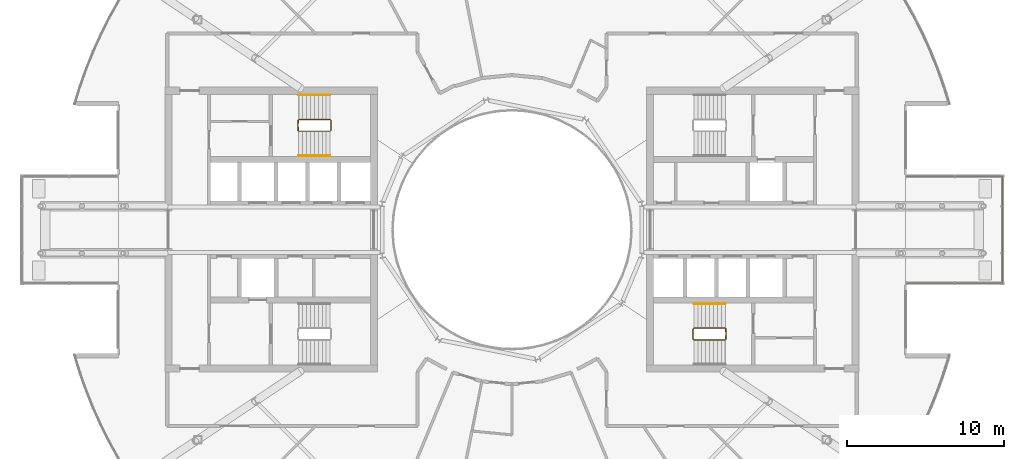
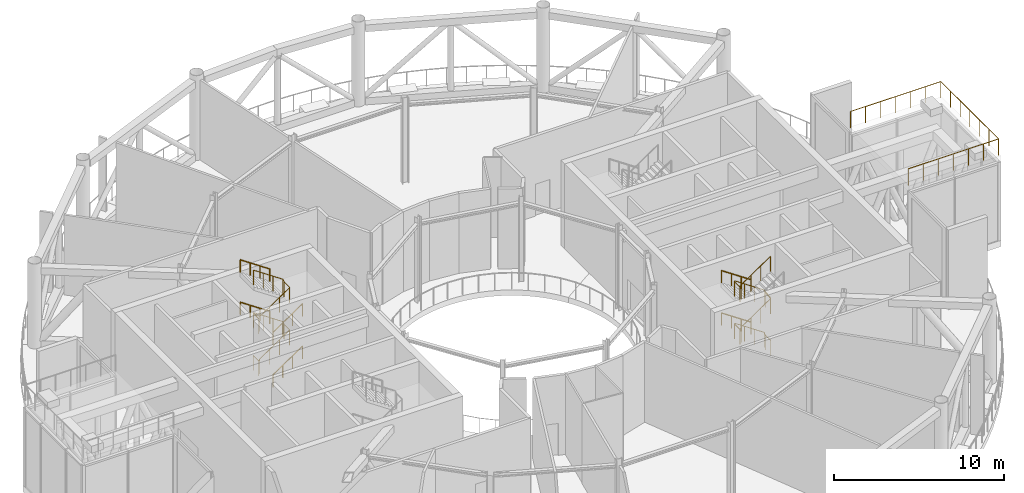
# One storey, part 22 of 24: 9 railings.
"""IFC4 building model written with IfcOpenShell, lengths in metres."""

from ifc_helpers import new_model, si_unit, direction, frame, origin, origin_2d, place, context, subcontext, project, spatial, circle, extrude, material, type_object, element, save


model = new_model("IFC4")

# Units and contexts
model_context = context("Model", 3, precision=1e-05, world=origin(), true_north=direction((0.0, 1.0)))
body_context = subcontext(model_context, "Body", "Model", "MODEL_VIEW")
ifc_project = project(units=[si_unit("LENGTHUNIT", "METRE"), si_unit("AREAUNIT", "SQUARE_METRE"), si_unit("VOLUMEUNIT", "CUBIC_METRE"), si_unit("PLANEANGLEUNIT", "RADIAN"), si_unit("MASSUNIT", "GRAM", prefix="KILO")], contexts=[model_context])

# Site, building, storey
site_placement = place(None, origin())
site = spatial("IfcSite", under=ifc_project, at=site_placement, CompositionType="ELEMENT")
building_placement = place(site_placement, origin())
building = spatial("IfcBuilding", under=site, at=building_placement, Name="Maasbend Ring Residences", CompositionType="ELEMENT")
storey_placement = place(building_placement, frame((0.0, 0.0, 221.85009765625)))
storey = spatial("IfcBuildingStorey", under=building, at=storey_placement, Name="L64", CompositionType="ELEMENT", Elevation=221.85009765625)

# Railings
ifc_material_1 = material(Name="Stainless steel 316 and glass", Category="steel")
railing_type_1 = type_object("IfcRailingType", Name="RL-GUARD", PredefinedType="GUARDRAIL", material=ifc_material_1)
railing_1_placement = place(storey_placement, frame((25.0, -3.39990234375, 6.099853515625)))
element("IfcRailing", 1, at=railing_1_placement, inside=storey, type_object=railing_type_1, Name="Roof terrace guard", PredefinedType="GUARDRAIL", context=body_context, shape_type="SweptSolid", body=[
    extrude(circle(Radius=0.02490234375, at=origin_2d()), frame((0.0, 0.0, 1.1748046875), z_axis=(1.0, 0.0, 0.0), x_axis=(0.0, 1.0, 0.0)), (0.0, 0.0, 1.0), 6.14990234375),
    extrude(circle(Radius=0.02490234375, at=origin_2d()), frame((6.14990234375, 0.0, 1.1748046875), z_axis=(0.0, 1.0, 0.0), x_axis=(-1.0, 0.0, 0.0)), (0.0, 0.0, 1.0), 6.7998046875),
    extrude(circle(Radius=0.02490234375, at=origin_2d()), frame((6.14990234375, 6.7998046875, 1.1748046875), z_axis=(-1.0, 0.0, 0.0), x_axis=(0.0, -1.0, 0.0)), (0.0, 0.0, 1.0), 6.14990234375),
    extrude(circle(Radius=0.02001953125, at=origin_2d()), origin(), (0.0, 0.0, 1.0), 1.14990234375),
    extrude(circle(Radius=0.02001953125, at=origin_2d()), frame((1.02490234375, 0.0, 0.0)), (0.0, 0.0, 1.0), 1.14990234375),
    extrude(circle(Radius=0.02001953125, at=origin_2d()), frame((2.050048828125, 0.0, 0.0)), (0.0, 0.0, 1.0), 1.14990234375),
    extrude(circle(Radius=0.02001953125, at=origin_2d()), frame((3.074951171875, 0.0, 0.0)), (0.0, 0.0, 1.0), 1.14990234375),
    extrude(circle(Radius=0.02001953125, at=origin_2d()), frame((4.099853515625, 0.0, 0.0)), (0.0, 0.0, 1.0), 1.14990234375),
    extrude(circle(Radius=0.02001953125, at=origin_2d()), frame((5.125, 0.0, 0.0)), (0.0, 0.0, 1.0), 1.14990234375),
    extrude(circle(Radius=0.02001953125, at=origin_2d()), frame((6.14990234375, 0.0, 0.0)), (0.0, 0.0, 1.0), 1.14990234375),
    extrude(circle(Radius=0.02001953125, at=origin_2d()), frame((6.14990234375, 1.13330078125, 0.0)), (0.0, 0.0, 1.0), 1.14990234375),
    extrude(circle(Radius=0.02001953125, at=origin_2d()), frame((6.14990234375, 2.2666015625, 0.0)), (0.0, 0.0, 1.0), 1.14990234375),
    extrude(circle(Radius=0.02001953125, at=origin_2d()), frame((6.14990234375, 3.39990234375, 0.0)), (0.0, 0.0, 1.0), 1.14990234375),
    extrude(circle(Radius=0.02001953125, at=origin_2d()), frame((6.14990234375, 4.533203125, 0.0)), (0.0, 0.0, 1.0), 1.14990234375),
    extrude(circle(Radius=0.02001953125, at=origin_2d()), frame((6.14990234375, 5.66650390625, 0.0)), (0.0, 0.0, 1.0), 1.14990234375),
    extrude(circle(Radius=0.02001953125, at=origin_2d()), frame((6.14990234375, 6.7998046875, 0.0)), (0.0, 0.0, 1.0), 1.14990234375),
    extrude(circle(Radius=0.02001953125, at=origin_2d()), frame((5.125, 6.7998046875, 0.0)), (0.0, 0.0, 1.0), 1.14990234375),
    extrude(circle(Radius=0.02001953125, at=origin_2d()), frame((4.099853515625, 6.7998046875, 0.0)), (0.0, 0.0, 1.0), 1.14990234375),
    extrude(circle(Radius=0.02001953125, at=origin_2d()), frame((3.074951171875, 6.7998046875, 0.0)), (0.0, 0.0, 1.0), 1.14990234375),
    extrude(circle(Radius=0.02001953125, at=origin_2d()), frame((2.050048828125, 6.7998046875, 0.0)), (0.0, 0.0, 1.0), 1.14990234375),
    extrude(circle(Radius=0.02001953125, at=origin_2d()), frame((1.02490234375, 6.7998046875, 0.0)), (0.0, 0.0, 1.0), 1.14990234375),
    extrude(circle(Radius=0.02001953125, at=origin_2d()), frame((0.0, 6.7998046875, 0.0)), (0.0, 0.0, 1.0), 1.14990234375),
])
ifc_material_2 = material(Name="Stainless steel 316", Category="steel")
railing_type_2 = type_object("IfcRailingType", Name="STAIR GUARD 1100", PredefinedType="GUARDRAIL", material=ifc_material_2)
railing_2_placement = place(storey_placement, frame((13.60009765625, -6.949951171875, 0.0)))
element("IfcRailing", 2, at=railing_2_placement, inside=storey, type_object=railing_type_2, Name="L64 ST-E2 stair guard 1", PredefinedType="GUARDRAIL", context=body_context, shape_type="SweptSolid", body=[
    extrude(circle(Radius=0.02392578125, at=origin_2d()), frame((0.0, 0.0, 1.076171875), z_axis=(0.0, 1.0, 0.0), x_axis=(-1.0, 0.0, 0.0)), (0.0, 0.0, 1.0), 0.64990234375),
    extrude(circle(Radius=0.02392578125, at=origin_2d()), frame((0.0, 0.64990234375, 1.076171875), z_axis=(-0.272562526181, 0.272562526181, 0.92272386912), x_axis=(-0.707106781187, -0.707106781187, 0.0)), (0.0, 0.0, 1.0), 0.18359375),
    extrude(circle(Radius=0.02392578125, at=origin_2d()), frame((-0.050048828125, 0.699951171875, 1.24560546875), z_axis=(-0.827797584762, 0.0, 0.561026878735), x_axis=(0.0, -1.0, 0.0)), (0.0, 0.0, 1.0), 2.416015625),
    extrude(circle(Radius=0.02392578125, at=origin_2d()), frame((-2.050048828125, 0.699951171875, 2.60107421875), z_axis=(-0.707106781187, -0.707106781187, 0.0), x_axis=(0.707106781187, -0.707106781187, 0.0)), (0.0, 0.0, 1.0), 0.07080078125),
    extrude(circle(Radius=0.02392578125, at=origin_2d()), frame((-2.10009765625, 0.64990234375, 2.60107421875), z_axis=(0.0, -1.0, 0.0), x_axis=(1.0, 0.0, 0.0)), (0.0, 0.0, 1.0), 0.64990234375),
    extrude(circle(Radius=0.02392578125, at=origin_2d()), frame((-2.10009765625, 0.0, 2.60107421875), z_axis=(0.272562526181, -0.272562526181, 0.92272386912), x_axis=(0.707106781187, 0.707106781187, 0.0)), (0.0, 0.0, 1.0), 0.18359375),
    extrude(circle(Radius=0.02392578125, at=origin_2d()), frame((-2.050048828125, -0.050048828125, 2.7705078125), z_axis=(0.827797584762, 0.0, 0.561026878735), x_axis=(0.0, 1.0, 0.0)), (0.0, 0.0, 1.0), 2.416015625),
    extrude(circle(Radius=0.02392578125, at=origin_2d()), frame((-0.050048828125, -0.050048828125, 4.1259765625), z_axis=(0.071321223157, 0.997453398975, 0.0), x_axis=(-0.997453398975, 0.071321223157, 0.0)), (0.0, 0.0, 1.0), 0.70166015625),
    extrude(circle(Radius=0.02392578125, at=origin_2d()), frame((0.0, 0.64990234375, 4.1259765625), z_axis=(0.0, -1.0, 0.0), x_axis=(1.0, 0.0, 0.0)), (0.0, 0.0, 1.0), 0.64990234375),
    extrude(circle(Radius=0.02392578125, at=origin_2d()), frame((0.0, 0.0, 4.1259765625), z_axis=(-0.069328998915, 0.969591414091, 0.234704025594), x_axis=(-0.997453398975, -0.071321223157, 0.0)), (0.0, 0.0, 1.0), 0.721923828125),
    extrude(circle(Radius=0.02392578125, at=origin_2d()), frame((-0.050048828125, 0.699951171875, 4.29541015625), z_axis=(-0.827750655447, 0.0, 0.561096116906), x_axis=(0.0, -1.0, 0.0)), (0.0, 0.0, 1.0), 2.416259765625),
    extrude(circle(Radius=0.02392578125, at=origin_2d()), frame((-2.050048828125, 0.699951171875, 5.65087890625), z_axis=(-0.707106781187, -0.707106781187, 0.0), x_axis=(0.707106781187, -0.707106781187, 0.0)), (0.0, 0.0, 1.0), 0.07080078125),
    extrude(circle(Radius=0.02392578125, at=origin_2d()), frame((-2.10009765625, 0.64990234375, 5.65087890625), z_axis=(0.0, -1.0, 0.0), x_axis=(1.0, 0.0, 0.0)), (0.0, 0.0, 1.0), 0.64990234375),
    extrude(circle(Radius=0.02392578125, at=origin_2d()), frame((-2.10009765625, 0.0, 5.65087890625), z_axis=(0.272562526181, -0.272562526181, 0.92272386912), x_axis=(0.707106781187, 0.707106781187, 0.0)), (0.0, 0.0, 1.0), 0.18359375),
    extrude(circle(Radius=0.02392578125, at=origin_2d()), frame((-2.050048828125, -0.050048828125, 5.8203125), z_axis=(0.827797584762, 0.0, 0.561026878735), x_axis=(0.0, 1.0, 0.0)), (0.0, 0.0, 1.0), 2.416015625),
    extrude(circle(Radius=0.02099609375, at=origin_2d()), origin(), (0.0, 0.0, 1.0), 1.052001953125),
    extrude(circle(Radius=0.02099609375, at=origin_2d()), frame((0.0, 0.64990234375, 0.0)), (0.0, 0.0, 1.0), 1.052001953125),
    extrude(circle(Radius=0.02099609375, at=origin_2d()), frame((-0.050048828125, 0.699951171875, 0.16943359375)), (0.0, 0.0, 1.0), 1.052001953125),
    extrude(circle(Radius=0.02099609375, at=origin_2d()), frame((-0.716796875, 0.699951171875, 0.621337890625)), (0.0, 0.0, 1.0), 1.052001953125),
    extrude(circle(Radius=0.02099609375, at=origin_2d()), frame((-1.38330078125, 0.699951171875, 1.072998046875)), (0.0, 0.0, 1.0), 1.052001953125),
    extrude(circle(Radius=0.02099609375, at=origin_2d()), frame((-2.050048828125, 0.699951171875, 1.52490234375)), (0.0, 0.0, 1.0), 1.052001953125),
    extrude(circle(Radius=0.02099609375, at=origin_2d()), frame((-2.10009765625, 0.64990234375, 1.52490234375)), (0.0, 0.0, 1.0), 1.052001953125),
    extrude(circle(Radius=0.02099609375, at=origin_2d()), frame((-2.10009765625, 0.0, 1.52490234375)), (0.0, 0.0, 1.0), 1.052001953125),
    extrude(circle(Radius=0.02099609375, at=origin_2d()), frame((-2.050048828125, -0.050048828125, 1.6943359375)), (0.0, 0.0, 1.0), 1.052001953125),
    extrude(circle(Radius=0.02099609375, at=origin_2d()), frame((-1.38330078125, -0.050048828125, 2.146240234375)), (0.0, 0.0, 1.0), 1.052001953125),
    extrude(circle(Radius=0.02099609375, at=origin_2d()), frame((-0.716796875, -0.050048828125, 2.597900390625)), (0.0, 0.0, 1.0), 1.052001953125),
    extrude(circle(Radius=0.02099609375, at=origin_2d()), frame((-0.050048828125, -0.050048828125, 3.0498046875)), (0.0, 0.0, 1.0), 1.052001953125),
    extrude(circle(Radius=0.02099609375, at=origin_2d()), frame((0.0, 0.64990234375, 3.0498046875)), (0.0, 0.0, 1.0), 1.052001953125),
    extrude(circle(Radius=0.02099609375, at=origin_2d()), frame((0.0, 0.0, 3.0498046875)), (0.0, 0.0, 1.0), 1.052001953125),
    extrude(circle(Radius=0.02099609375, at=origin_2d()), frame((-0.050048828125, 0.699951171875, 3.21923828125)), (0.0, 0.0, 1.0), 1.052001953125),
    extrude(circle(Radius=0.02099609375, at=origin_2d()), frame((-0.716796875, 0.699951171875, 3.671142578125)), (0.0, 0.0, 1.0), 1.052001953125),
    extrude(circle(Radius=0.02099609375, at=origin_2d()), frame((-1.38330078125, 0.699951171875, 4.123046875)), (0.0, 0.0, 1.0), 1.052001953125),
    extrude(circle(Radius=0.02099609375, at=origin_2d()), frame((-2.050048828125, 0.699951171875, 4.574951171875)), (0.0, 0.0, 1.0), 1.052001953125),
    extrude(circle(Radius=0.02099609375, at=origin_2d()), frame((-2.10009765625, 0.64990234375, 4.574951171875)), (0.0, 0.0, 1.0), 1.052001953125),
    extrude(circle(Radius=0.02099609375, at=origin_2d()), frame((-2.10009765625, 0.0, 4.574951171875)), (0.0, 0.0, 1.0), 1.052001953125),
    extrude(circle(Radius=0.02099609375, at=origin_2d()), frame((-2.050048828125, -0.050048828125, 4.744384765625)), (0.0, 0.0, 1.0), 1.052001953125),
    extrude(circle(Radius=0.02099609375, at=origin_2d()), frame((-1.38330078125, -0.050048828125, 5.1962890625)), (0.0, 0.0, 1.0), 1.052001953125),
    extrude(circle(Radius=0.02099609375, at=origin_2d()), frame((-0.716796875, -0.050048828125, 5.64794921875)), (0.0, 0.0, 1.0), 1.052001953125),
    extrude(circle(Radius=0.02099609375, at=origin_2d()), frame((-0.050048828125, -0.050048828125, 6.099853515625)), (0.0, 0.0, 1.0), 1.052001953125),
])
railing_3_placement = place(storey_placement, frame((-13.60009765625, 6.949951171875, 0.0)))
element("IfcRailing", 3, at=railing_3_placement, inside=storey, type_object=railing_type_2, Name="L64 ST-W2 stair guard 1", PredefinedType="GUARDRAIL", context=body_context, shape_type="SweptSolid", body=[
    extrude(circle(Radius=0.02392578125, at=origin_2d()), frame((0.0, 0.0, 1.076171875), z_axis=(0.0, -1.0, 0.0), x_axis=(1.0, 0.0, 0.0)), (0.0, 0.0, 1.0), 0.64990234375),
    extrude(circle(Radius=0.02392578125, at=origin_2d()), frame((0.0, -0.64990234375, 1.076171875), z_axis=(0.272562526181, -0.272562526181, 0.92272386912), x_axis=(0.707106781187, 0.707106781187, 0.0)), (0.0, 0.0, 1.0), 0.18359375),
    extrude(circle(Radius=0.02392578125, at=origin_2d()), frame((0.050048828125, -0.699951171875, 1.24560546875), z_axis=(0.827797584762, 0.0, 0.561026878735), x_axis=(0.0, 1.0, 0.0)), (0.0, 0.0, 1.0), 2.416015625),
    extrude(circle(Radius=0.02392578125, at=origin_2d()), frame((2.050048828125, -0.699951171875, 2.60107421875), z_axis=(0.707106781187, 0.707106781187, 0.0), x_axis=(-0.707106781187, 0.707106781187, 0.0)), (0.0, 0.0, 1.0), 0.07080078125),
    extrude(circle(Radius=0.02392578125, at=origin_2d()), frame((2.10009765625, -0.64990234375, 2.60107421875), z_axis=(0.0, 1.0, 0.0), x_axis=(-1.0, 0.0, 0.0)), (0.0, 0.0, 1.0), 0.64990234375),
    extrude(circle(Radius=0.02392578125, at=origin_2d()), frame((2.10009765625, 0.0, 2.60107421875), z_axis=(-0.272562526181, 0.272562526181, 0.92272386912), x_axis=(-0.707106781187, -0.707106781187, 0.0)), (0.0, 0.0, 1.0), 0.18359375),
    extrude(circle(Radius=0.02392578125, at=origin_2d()), frame((2.050048828125, 0.050048828125, 2.7705078125), z_axis=(-0.827797584762, 0.0, 0.561026878735), x_axis=(0.0, -1.0, 0.0)), (0.0, 0.0, 1.0), 2.416015625),
    extrude(circle(Radius=0.02392578125, at=origin_2d()), frame((0.050048828125, 0.050048828125, 4.1259765625), z_axis=(-0.071321223157, -0.997453398975, 0.0), x_axis=(0.997453398975, -0.071321223157, 0.0)), (0.0, 0.0, 1.0), 0.70166015625),
    extrude(circle(Radius=0.02392578125, at=origin_2d()), frame((0.0, -0.64990234375, 4.1259765625), z_axis=(0.0, 1.0, 0.0), x_axis=(-1.0, 0.0, 0.0)), (0.0, 0.0, 1.0), 0.64990234375),
    extrude(circle(Radius=0.02392578125, at=origin_2d()), frame((0.0, 0.0, 4.1259765625), z_axis=(0.069328998915, -0.969591414091, 0.234704025594), x_axis=(0.997453398975, 0.071321223157, 0.0)), (0.0, 0.0, 1.0), 0.721923828125),
    extrude(circle(Radius=0.02392578125, at=origin_2d()), frame((0.050048828125, -0.699951171875, 4.29541015625), z_axis=(0.827750655447, 0.0, 0.561096116906), x_axis=(0.0, 1.0, 0.0)), (0.0, 0.0, 1.0), 2.416259765625),
    extrude(circle(Radius=0.02392578125, at=origin_2d()), frame((2.050048828125, -0.699951171875, 5.65087890625), z_axis=(0.707106781187, 0.707106781187, 0.0), x_axis=(-0.707106781187, 0.707106781187, 0.0)), (0.0, 0.0, 1.0), 0.07080078125),
    extrude(circle(Radius=0.02392578125, at=origin_2d()), frame((2.10009765625, -0.64990234375, 5.65087890625), z_axis=(0.0, 1.0, 0.0), x_axis=(-1.0, 0.0, 0.0)), (0.0, 0.0, 1.0), 0.64990234375),
    extrude(circle(Radius=0.02392578125, at=origin_2d()), frame((2.10009765625, 0.0, 5.65087890625), z_axis=(-0.272562526181, 0.272562526181, 0.92272386912), x_axis=(-0.707106781187, -0.707106781187, 0.0)), (0.0, 0.0, 1.0), 0.18359375),
    extrude(circle(Radius=0.02392578125, at=origin_2d()), frame((2.050048828125, 0.050048828125, 5.8203125), z_axis=(-0.827797584762, 0.0, 0.561026878735), x_axis=(0.0, -1.0, 0.0)), (0.0, 0.0, 1.0), 2.416015625),
    extrude(circle(Radius=0.02099609375, at=origin_2d()), origin(), (0.0, 0.0, 1.0), 1.052001953125),
    extrude(circle(Radius=0.02099609375, at=origin_2d()), frame((0.0, -0.64990234375, 0.0)), (0.0, 0.0, 1.0), 1.052001953125),
    extrude(circle(Radius=0.02099609375, at=origin_2d()), frame((0.050048828125, -0.699951171875, 0.16943359375)), (0.0, 0.0, 1.0), 1.052001953125),
    extrude(circle(Radius=0.02099609375, at=origin_2d()), frame((0.716796875, -0.699951171875, 0.621337890625)), (0.0, 0.0, 1.0), 1.052001953125),
    extrude(circle(Radius=0.02099609375, at=origin_2d()), frame((1.38330078125, -0.699951171875, 1.072998046875)), (0.0, 0.0, 1.0), 1.052001953125),
    extrude(circle(Radius=0.02099609375, at=origin_2d()), frame((2.050048828125, -0.699951171875, 1.52490234375)), (0.0, 0.0, 1.0), 1.052001953125),
    extrude(circle(Radius=0.02099609375, at=origin_2d()), frame((2.10009765625, -0.64990234375, 1.52490234375)), (0.0, 0.0, 1.0), 1.052001953125),
    extrude(circle(Radius=0.02099609375, at=origin_2d()), frame((2.10009765625, 0.0, 1.52490234375)), (0.0, 0.0, 1.0), 1.052001953125),
    extrude(circle(Radius=0.02099609375, at=origin_2d()), frame((2.050048828125, 0.050048828125, 1.6943359375)), (0.0, 0.0, 1.0), 1.052001953125),
    extrude(circle(Radius=0.02099609375, at=origin_2d()), frame((1.38330078125, 0.050048828125, 2.146240234375)), (0.0, 0.0, 1.0), 1.052001953125),
    extrude(circle(Radius=0.02099609375, at=origin_2d()), frame((0.716796875, 0.050048828125, 2.597900390625)), (0.0, 0.0, 1.0), 1.052001953125),
    extrude(circle(Radius=0.02099609375, at=origin_2d()), frame((0.050048828125, 0.050048828125, 3.0498046875)), (0.0, 0.0, 1.0), 1.052001953125),
    extrude(circle(Radius=0.02099609375, at=origin_2d()), frame((0.0, -0.64990234375, 3.0498046875)), (0.0, 0.0, 1.0), 1.052001953125),
    extrude(circle(Radius=0.02099609375, at=origin_2d()), frame((0.0, 0.0, 3.0498046875)), (0.0, 0.0, 1.0), 1.052001953125),
    extrude(circle(Radius=0.02099609375, at=origin_2d()), frame((0.050048828125, -0.699951171875, 3.21923828125)), (0.0, 0.0, 1.0), 1.052001953125),
    extrude(circle(Radius=0.02099609375, at=origin_2d()), frame((0.716796875, -0.699951171875, 3.671142578125)), (0.0, 0.0, 1.0), 1.052001953125),
    extrude(circle(Radius=0.02099609375, at=origin_2d()), frame((1.38330078125, -0.699951171875, 4.123046875)), (0.0, 0.0, 1.0), 1.052001953125),
    extrude(circle(Radius=0.02099609375, at=origin_2d()), frame((2.050048828125, -0.699951171875, 4.574951171875)), (0.0, 0.0, 1.0), 1.052001953125),
    extrude(circle(Radius=0.02099609375, at=origin_2d()), frame((2.10009765625, -0.64990234375, 4.574951171875)), (0.0, 0.0, 1.0), 1.052001953125),
    extrude(circle(Radius=0.02099609375, at=origin_2d()), frame((2.10009765625, 0.0, 4.574951171875)), (0.0, 0.0, 1.0), 1.052001953125),
    extrude(circle(Radius=0.02099609375, at=origin_2d()), frame((2.050048828125, 0.050048828125, 4.744384765625)), (0.0, 0.0, 1.0), 1.052001953125),
    extrude(circle(Radius=0.02099609375, at=origin_2d()), frame((1.38330078125, 0.050048828125, 5.1962890625)), (0.0, 0.0, 1.0), 1.052001953125),
    extrude(circle(Radius=0.02099609375, at=origin_2d()), frame((0.716796875, 0.050048828125, 5.64794921875)), (0.0, 0.0, 1.0), 1.052001953125),
    extrude(circle(Radius=0.02099609375, at=origin_2d()), frame((0.050048828125, 0.050048828125, 6.099853515625)), (0.0, 0.0, 1.0), 1.052001953125),
])
ifc_material_3 = material(Name="Stainless steel 316", Category="steel")
railing_type_3 = type_object("IfcRailingType", Name="STAIR HANDRAIL 900", PredefinedType="HANDRAIL", material=ifc_material_3)
railing_4_placement = place(storey_placement, frame((13.550048828125, -4.699951171875, 0.16943359375)))
element("IfcRailing", 4, at=railing_4_placement, inside=storey, type_object=railing_type_3, Name="L64 ST-E2 stair handrail 1", PredefinedType="HANDRAIL", context=body_context, shape_type="SweptSolid", body=[
    extrude(circle(Radius=0.02392578125, at=origin_2d()), frame((0.0, 0.0, 0.8759765625), z_axis=(-0.827797584762, 0.0, 0.561026878735), x_axis=(0.0, -1.0, 0.0)), (0.0, 0.0, 1.0), 2.416015625),
    extrude(circle(Radius=0.02099609375, at=origin_2d()), origin(), (0.0, 0.0, 1.0), 0.851806640625),
    extrude(circle(Radius=0.02099609375, at=origin_2d()), frame((-0.666748046875, 0.0, 0.451904296875)), (0.0, 0.0, 1.0), 0.851806640625),
    extrude(circle(Radius=0.02099609375, at=origin_2d()), frame((-1.333251953125, 0.0, 0.903564453125)), (0.0, 0.0, 1.0), 0.851806640625),
    extrude(circle(Radius=0.02099609375, at=origin_2d()), frame((-2.0, 0.0, 1.35546875)), (0.0, 0.0, 1.0), 0.851806640625),
])
railing_5_placement = place(storey_placement, frame((13.550048828125, -4.699951171875, 3.21923828125)))
element("IfcRailing", 5, at=railing_5_placement, inside=storey, type_object=railing_type_3, Name="L64 ST-E2 stair handrail 3", PredefinedType="HANDRAIL", context=body_context, shape_type="SweptSolid", body=[
    extrude(circle(Radius=0.02392578125, at=origin_2d()), frame((0.0, 0.0, 0.8759765625), z_axis=(-0.827750655447, 0.0, 0.561096116906), x_axis=(0.0, -1.0, 0.0)), (0.0, 0.0, 1.0), 2.416259765625),
    extrude(circle(Radius=0.02099609375, at=origin_2d()), origin(), (0.0, 0.0, 1.0), 0.851806640625),
    extrude(circle(Radius=0.02099609375, at=origin_2d()), frame((-0.666748046875, 0.0, 0.451904296875)), (0.0, 0.0, 1.0), 0.851806640625),
    extrude(circle(Radius=0.02099609375, at=origin_2d()), frame((-1.333251953125, 0.0, 0.90380859375)), (0.0, 0.0, 1.0), 0.851806640625),
    extrude(circle(Radius=0.02099609375, at=origin_2d()), frame((-2.0, 0.0, 1.355712890625)), (0.0, 0.0, 1.0), 0.851806640625),
])
railing_6_placement = place(storey_placement, frame((-13.550048828125, 4.699951171875, 0.16943359375)))
element("IfcRailing", 6, at=railing_6_placement, inside=storey, type_object=railing_type_3, Name="L64 ST-W2 stair handrail 1", PredefinedType="HANDRAIL", context=body_context, shape_type="SweptSolid", body=[
    extrude(circle(Radius=0.02392578125, at=origin_2d()), frame((0.0, 0.0, 0.8759765625), z_axis=(0.827797584762, 0.0, 0.561026878735), x_axis=(0.0, 1.0, 0.0)), (0.0, 0.0, 1.0), 2.416015625),
    extrude(circle(Radius=0.02099609375, at=origin_2d()), origin(), (0.0, 0.0, 1.0), 0.851806640625),
    extrude(circle(Radius=0.02099609375, at=origin_2d()), frame((0.666748046875, 0.0, 0.451904296875)), (0.0, 0.0, 1.0), 0.851806640625),
    extrude(circle(Radius=0.02099609375, at=origin_2d()), frame((1.333251953125, 0.0, 0.903564453125)), (0.0, 0.0, 1.0), 0.851806640625),
    extrude(circle(Radius=0.02099609375, at=origin_2d()), frame((2.0, 0.0, 1.35546875)), (0.0, 0.0, 1.0), 0.851806640625),
])
railing_7_placement = place(storey_placement, frame((-11.550048828125, 8.550048828125, 1.6943359375)))
element("IfcRailing", 7, at=railing_7_placement, inside=storey, type_object=railing_type_3, Name="L64 ST-W2 stair handrail 2", PredefinedType="HANDRAIL", context=body_context, shape_type="SweptSolid", body=[
    extrude(circle(Radius=0.02392578125, at=origin_2d()), frame((0.0, 0.0, 0.8759765625), z_axis=(-0.827797584762, 0.0, 0.561026878735), x_axis=(0.0, -1.0, 0.0)), (0.0, 0.0, 1.0), 2.416015625),
    extrude(circle(Radius=0.02099609375, at=origin_2d()), origin(), (0.0, 0.0, 1.0), 0.851806640625),
    extrude(circle(Radius=0.02099609375, at=origin_2d()), frame((-0.666748046875, 0.0, 0.451904296875)), (0.0, 0.0, 1.0), 0.851806640625),
    extrude(circle(Radius=0.02099609375, at=origin_2d()), frame((-1.333251953125, 0.0, 0.903564453125)), (0.0, 0.0, 1.0), 0.851806640625),
    extrude(circle(Radius=0.02099609375, at=origin_2d()), frame((-2.0, 0.0, 1.35546875)), (0.0, 0.0, 1.0), 0.851806640625),
])
railing_8_placement = place(storey_placement, frame((-13.550048828125, 4.699951171875, 3.21923828125)))
element("IfcRailing", 8, at=railing_8_placement, inside=storey, type_object=railing_type_3, Name="L64 ST-W2 stair handrail 3", PredefinedType="HANDRAIL", context=body_context, shape_type="SweptSolid", body=[
    extrude(circle(Radius=0.02392578125, at=origin_2d()), frame((0.0, 0.0, 0.8759765625), z_axis=(0.827750655447, 0.0, 0.561096116906), x_axis=(0.0, 1.0, 0.0)), (0.0, 0.0, 1.0), 2.416259765625),
    extrude(circle(Radius=0.02099609375, at=origin_2d()), origin(), (0.0, 0.0, 1.0), 0.851806640625),
    extrude(circle(Radius=0.02099609375, at=origin_2d()), frame((0.666748046875, 0.0, 0.451904296875)), (0.0, 0.0, 1.0), 0.851806640625),
    extrude(circle(Radius=0.02099609375, at=origin_2d()), frame((1.333251953125, 0.0, 0.90380859375)), (0.0, 0.0, 1.0), 0.851806640625),
    extrude(circle(Radius=0.02099609375, at=origin_2d()), frame((2.0, 0.0, 1.355712890625)), (0.0, 0.0, 1.0), 0.851806640625),
])
railing_9_placement = place(storey_placement, frame((-11.550048828125, 8.550048828125, 4.744384765625)))
element("IfcRailing", 9, at=railing_9_placement, inside=storey, type_object=railing_type_3, Name="L64 ST-W2 stair handrail 4", PredefinedType="HANDRAIL", context=body_context, shape_type="SweptSolid", body=[
    extrude(circle(Radius=0.02392578125, at=origin_2d()), frame((0.0, 0.0, 0.8759765625), z_axis=(-0.827797584762, 0.0, 0.561026878735), x_axis=(0.0, -1.0, 0.0)), (0.0, 0.0, 1.0), 2.416015625),
    extrude(circle(Radius=0.02099609375, at=origin_2d()), origin(), (0.0, 0.0, 1.0), 0.851806640625),
    extrude(circle(Radius=0.02099609375, at=origin_2d()), frame((-0.666748046875, 0.0, 0.451904296875)), (0.0, 0.0, 1.0), 0.851806640625),
    extrude(circle(Radius=0.02099609375, at=origin_2d()), frame((-1.333251953125, 0.0, 0.903564453125)), (0.0, 0.0, 1.0), 0.851806640625),
    extrude(circle(Radius=0.02099609375, at=origin_2d()), frame((-2.0, 0.0, 1.35546875)), (0.0, 0.0, 1.0), 0.851806640625),
])

save(model, "model.ifc")
